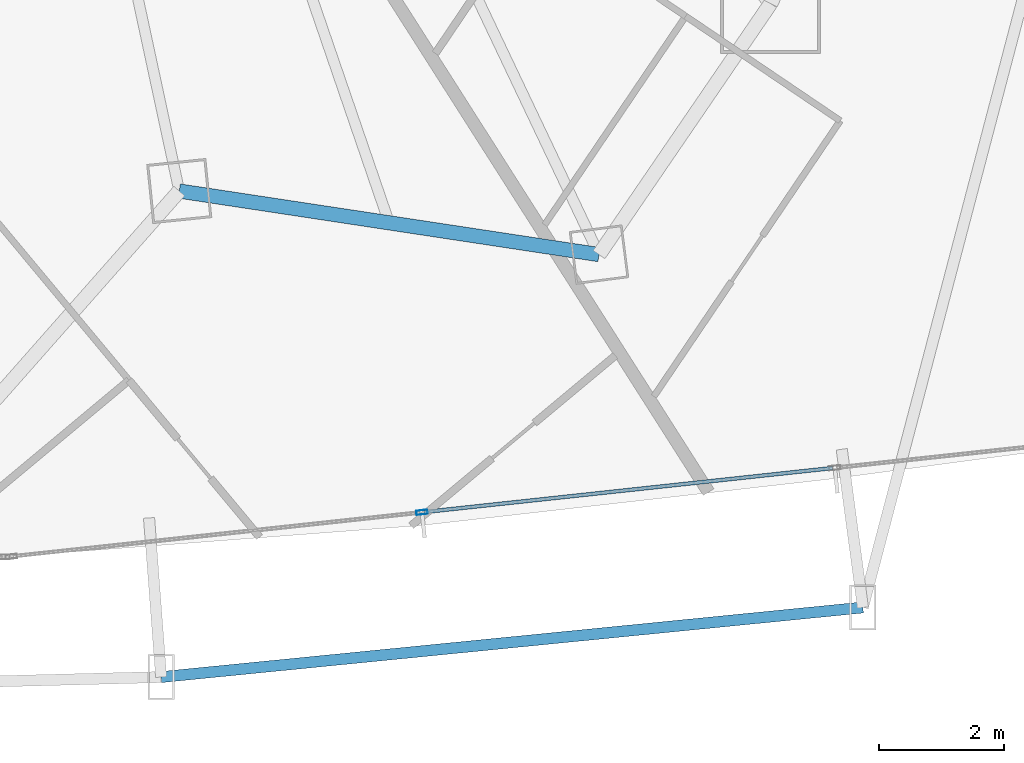
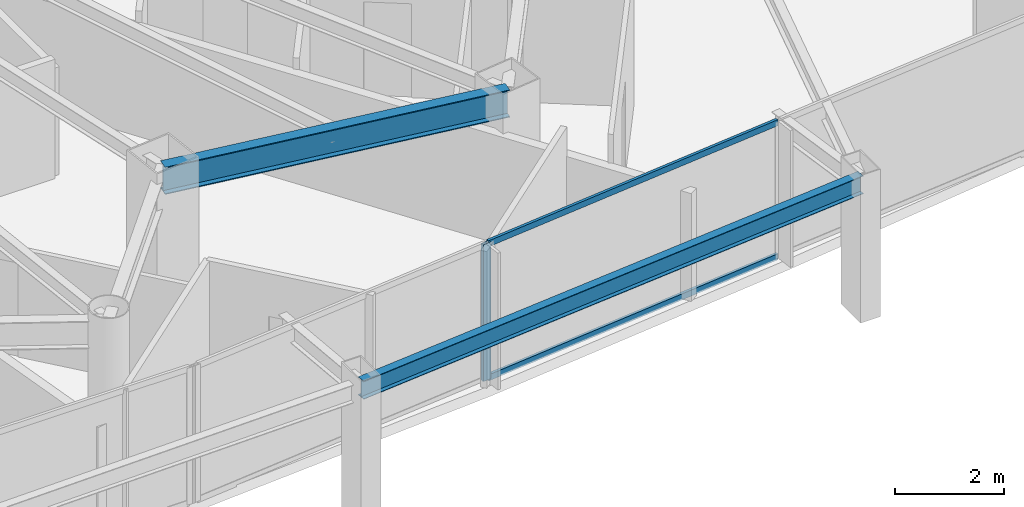
# One storey, part 14 of 38: 3 members, 2 beams, 1 element without a shape of its own.
"""IFC4 building model written with IfcOpenShell, lengths in metres."""

from ifc_helpers import new_model, si_unit, direction, frame, origin, origin_2d, place, context, subcontext, project, spatial, hollow_rectangle, i_section, extrude, material, layer, layer_set, material_profile, profile_set, type_object, element, aggregate, save


model = new_model("IFC4")

# Units and contexts
model_context = context("Model", 3, precision=1e-05, world=origin(), true_north=direction((0.0, 1.0)))
body_context = subcontext(model_context, "Body", "Model", "MODEL_VIEW")
ifc_project = project(units=[si_unit("LENGTHUNIT", "METRE"), si_unit("AREAUNIT", "SQUARE_METRE"), si_unit("VOLUMEUNIT", "CUBIC_METRE"), si_unit("PLANEANGLEUNIT", "RADIAN"), si_unit("MASSUNIT", "GRAM", prefix="KILO")], contexts=[model_context])

# Site, building, storey
site_placement = place(None, origin())
site = spatial("IfcSite", under=ifc_project, at=site_placement, CompositionType="ELEMENT")
building_placement = place(site_placement, origin())
building = spatial("IfcBuilding", under=site, at=building_placement, Name="Orvanel Arch Residences", CompositionType="ELEMENT")
storey_placement = place(building_placement, frame((0.0, 0.0, 43.39990234375)))
storey = spatial("IfcBuildingStorey", under=building, at=storey_placement, Name="L11", CompositionType="ELEMENT", Elevation=43.39990234375)

# Curtain wall, member
ifc_material_1 = material(Name="Bronze-anodised aluminium AA6063-T6", Category="aluminium")
ifc_layer = layer(ifc_material_1, 0.179931640625)
ifc_layer_set = layer_set([ifc_layer], Name="Bronze-anodised aluminium AA6063-T6")
curtain_wall_type = type_object("IfcCurtainWallType", Name="CW2-LOW-SYS", PredefinedType="NOTDEFINED", material=ifc_layer_set)
curtain_wall_placement = place(storey_placement, origin())
curtain_wall = element("IfcCurtainWall", 1, at=curtain_wall_placement, inside=storey, type_object=curtain_wall_type, Name="L11 CW2-LOW-SYS Unitised Curtain Wall", PredefinedType="NOTDEFINED")
ifc_material_profile_1 = material_profile(ifc_material_1, hollow_rectangle(XDim=0.070068359375, YDim=0.179931640625, WallThickness=0.00439453125, at=origin_2d()), Name="ALU180x70x4.5")
ifc_profile_set_1 = profile_set([ifc_material_profile_1], Name="Bronze-anodised aluminium AA6063-T6")
member_type_1 = type_object("IfcMemberType", Name="MUL-180x70", PredefinedType="MULLION", material=ifc_profile_set_1)
member_1_placement = place(storey_placement, frame((46.22900390625, 2.220947265625, 0.0), z_axis=(0.0, 0.0, 1.0), x_axis=(-0.107139659052, 0.994243980851, 0.0)))
member_1 = element("IfcMember", 2, at=member_1_placement, type_object=member_type_1, Name="CW-S2 mullion 2", PredefinedType="MULLION", context=body_context, shape_type="SweptSolid", body=[
    extrude(hollow_rectangle(XDim=0.070068359375, YDim=0.179931640625, WallThickness=0.00439453125, at=origin_2d()), origin(), (0.0, 0.0, 1.0), 3.06005859375),
])

# Beams
ifc_material_2 = material(Name="Structural steel AS/NZS 3679.1 Grade 300 (300 MPa)", Category="steel")
ifc_material_profile_2 = material_profile(ifc_material_2, i_section(OverallWidth=0.177978515625, OverallDepth=0.406005859375, WebThickness=0.0078125, FlangeThickness=0.0126953125, at=origin_2d()), Name="410UB59.7")
ifc_profile_set_2 = profile_set([ifc_material_profile_2], Name="Structural steel AS/NZS 3679.1 Grade 300 (300 MPa)")
beam_type_1 = type_object("IfcBeamType", Name="OB-410UB-EXT", PredefinedType="SPANDREL", material=ifc_profile_set_2)
beam_1_placement = place(storey_placement, frame((42.06103515625, -0.412109375, 2.857177734375), z_axis=(0.995119637714, 0.09867576519, 0.0), x_axis=(-0.09867576519, 0.995119637714, 0.0)))
element("IfcBeam", 3, at=beam_1_placement, inside=storey, type_object=beam_type_1, Name="L11 Outer Perimeter Floor Ring Beam 07", PredefinedType="SPANDREL", context=body_context, shape_type="SweptSolid", body=[
    extrude(i_section(OverallWidth=0.177978515625, OverallDepth=0.406005859375, WebThickness=0.0078125, FlangeThickness=0.0126953125, at=origin_2d()), origin(), (0.0, 0.0, 1.0), 11.269775390625),
])
ifc_material_profile_3 = material_profile(ifc_material_2, i_section(OverallWidth=0.22900390625, OverallDepth=0.612060546875, WebThickness=0.011962890625, FlangeThickness=0.01953125, at=origin_2d()), Name="610UB125")
ifc_profile_set_3 = profile_set([ifc_material_profile_3], Name="Structural steel AS/NZS 3679.1 Grade 300 (300 MPa)")
beam_type_2 = type_object("IfcBeamType", Name="SP-610UB", PredefinedType="SPANDREL", material=ifc_profile_set_3)
beam_2_placement = place(storey_placement, frame((42.35107421875, 7.35498046875, 2.754150390625), z_axis=(0.988726323014, -0.149733958002, 0.0), x_axis=(0.149733958002, 0.988726323014, 0.0)))
element("IfcBeam", 4, at=beam_2_placement, inside=storey, type_object=beam_type_2, Name="L11 Perimeter Spandrel Beam 09", PredefinedType="SPANDREL", context=body_context, shape_type="SweptSolid", body=[
    extrude(i_section(OverallWidth=0.22900390625, OverallDepth=0.612060546875, WebThickness=0.011962890625, FlangeThickness=0.01953125, at=origin_2d()), origin(), (0.0, 0.0, 1.0), 6.784423828125),
])

# Member
ifc_material_profile_4 = material_profile(ifc_material_1, hollow_rectangle(XDim=0.06005859375, YDim=0.135009765625, WallThickness=0.00390625, at=origin_2d()), Name="ALU135x60x4")
ifc_profile_set_4 = profile_set([ifc_material_profile_4], Name="Bronze-anodised aluminium AA6063-T6")
member_type_2 = type_object("IfcMemberType", Name="TRN-135x60", PredefinedType="USERDEFINED", material=ifc_profile_set_4)
member_2_placement = place(storey_placement, frame((46.263916015625, 2.224853515625, 0.030029296875), z_axis=(0.994245962849, 0.107121264733, 0.0), x_axis=(-0.107121264733, 0.994245962849, 0.0)))
member_2 = element("IfcMember", 5, at=member_2_placement, type_object=member_type_2, Name="CW-S2 transom 2.1", ObjectType="TRANSOM", PredefinedType="USERDEFINED", context=body_context, shape_type="SweptSolid", body=[
    extrude(hollow_rectangle(XDim=0.06005859375, YDim=0.135009765625, WallThickness=0.00390625, at=origin_2d()), origin(), (0.0, 0.0, 1.0), 6.566162109375),
])

member_3_placement = place(storey_placement, frame((46.263916015625, 2.224853515625, 3.030029296875), z_axis=(0.994245962849, 0.107121264733, 0.0), x_axis=(-0.107121264733, 0.994245962849, 0.0)))
member_3 = element("IfcMember", 6, at=member_3_placement, type_object=member_type_2, Name="CW-S2 transom 2.2", ObjectType="TRANSOM", PredefinedType="USERDEFINED", context=body_context, shape_type="SweptSolid", body=[
    extrude(hollow_rectangle(XDim=0.06005859375, YDim=0.135009765625, WallThickness=0.00390625, at=origin_2d()), origin(), (0.0, 0.0, 1.0), 6.566162109375),
])

aggregate(curtain_wall, [member_1, member_2, member_3])

save(model, "model.ifc")
